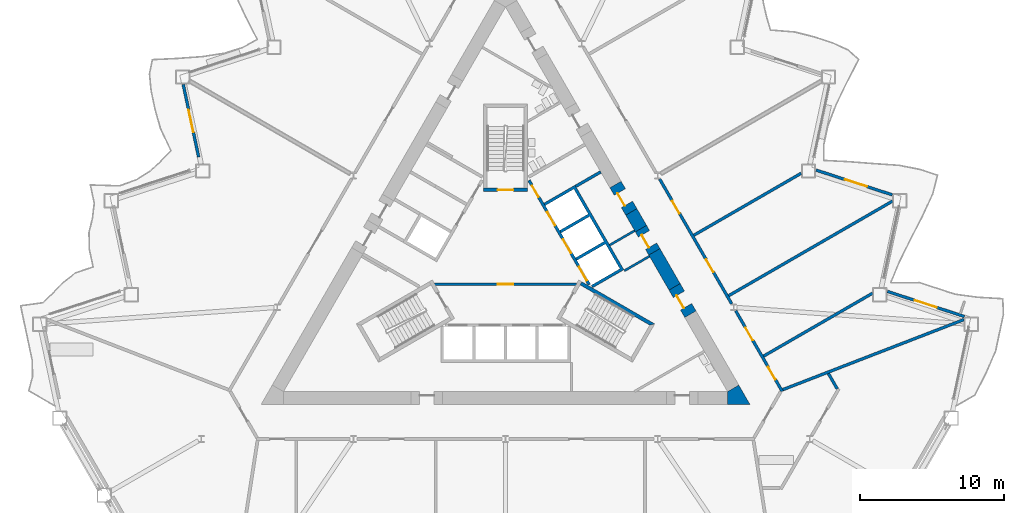
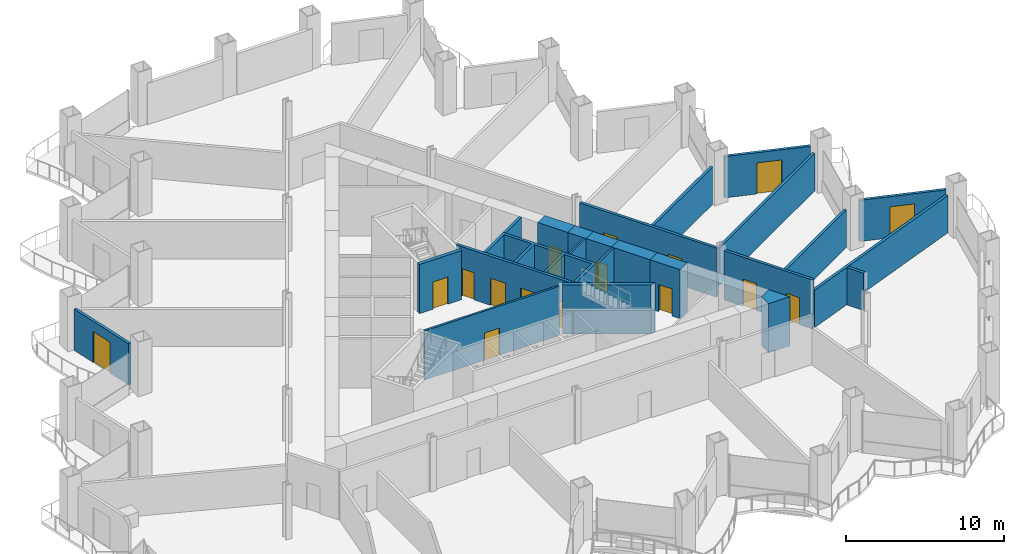
# One storey, part 11 of 21: 24 walls, 16 doors, 16 openings.
"""IFC4 building model written with IfcOpenShell, lengths in metres."""

from ifc_helpers import new_model, si_unit, direction, frame, frame_2d, origin, place, context, subcontext, project, spatial, polyline, rectangle, outline, extrude, material, layer, layer_set, type_object, element, fill, save


model = new_model("IFC4")

# Units and contexts
model_context = context("Model", 3, precision=1e-05, world=origin(), true_north=direction((0.0, 1.0)))
body_context = subcontext(model_context, "Body", "Model", "MODEL_VIEW")
ifc_project = project(units=[si_unit("LENGTHUNIT", "METRE"), si_unit("AREAUNIT", "SQUARE_METRE"), si_unit("VOLUMEUNIT", "CUBIC_METRE"), si_unit("PLANEANGLEUNIT", "RADIAN"), si_unit("MASSUNIT", "GRAM", prefix="KILO")], contexts=[model_context])

# Site, building, storey
site_placement = place(None, origin())
site = spatial("IfcSite", under=ifc_project, at=site_placement, CompositionType="ELEMENT")
building_placement = place(site_placement, origin())
building = spatial("IfcBuilding", under=site, at=building_placement, Name="Cormorant Prow Tower", CompositionType="ELEMENT")
storey_placement = place(building_placement, frame((0.0, 0.0, 46.800048828125)))
storey = spatial("IfcBuildingStorey", under=building, at=storey_placement, Name="L09", CompositionType="ELEMENT", Elevation=46.800048828125)

# Wall, opening, door
ifc_material_1 = material(Name="Gypsum board partition")
ifc_layer_1 = layer(ifc_material_1, 0.14990234375)
ifc_layer_set_1 = layer_set([ifc_layer_1], Name="Gypsum board partition")
wall_type_1 = type_object("IfcWallType", Name="Core partition 150", PredefinedType="PARTITIONING", material=ifc_layer_set_1)
wall_1_placement = place(storey_placement, frame((-4.941162109375, -1.449951171875, 0.0), z_axis=(0.0, 0.0, 1.0), x_axis=(1.0, 0.0, 0.0)))
wall_1 = element("IfcWall", 1, at=wall_1_placement, inside=storey, type_object=wall_type_1, Name="Firefighting lobby partition", PredefinedType="PARTITIONING", context=body_context, shape_type="SweptSolid", body=[
    extrude(rectangle(XDim=9.88232421875, YDim=0.14990234375, at=frame_2d((4.941162109375, 0.0))), origin(), (0.0, 0.0, 1.0), 3.800048828125),
])
opening_1_placement = place(wall_1_placement, frame((4.39111328125, 0.0, 0.0)))
opening_1 = element("IfcOpeningElement", 2, at=opening_1_placement, cuts=wall_1, Name="Opening L09-C11", PredefinedType="OPENING", context=body_context, shape_type="SweptSolid", body=[
    extrude(rectangle(XDim=1.10009765625, YDim=2.10009765625, at=frame_2d((0.550048828125, 1.050048828125))), frame((0.0, 0.0849609375, 0.0), z_axis=(0.0, -1.0, 0.0), x_axis=(1.0, 0.0, 0.0)), (0.0, 0.0, 1.0), 0.169921875),
])
ifc_material_2 = material(Name="Painted steel", Category="steel")
door_type_1 = type_object("IfcDoorType", Name="Firefighting lobby door 1100x2100", OperationType="NOTDEFINED", PredefinedType="DOOR", material=ifc_material_2)
door_1_placement = place(opening_1_placement, origin())
door_1 = element("IfcDoor", 3, at=door_1_placement, inside=storey, type_object=door_type_1, Name="Firefighting lobby door", OperationType="SINGLE_SWING_LEFT", OverallHeight=2.10009765625, OverallWidth=1.10009765625, PredefinedType="DOOR", context=body_context, shape_type="SweptSolid", body=[
    extrude(rectangle(XDim=1.10009765625, YDim=2.10009765625, at=frame_2d((0.550048828125, 1.050048828125))), frame((0.0, 0.02490234375, 0.0), z_axis=(0.0, -1.0, 0.0), x_axis=(1.0, 0.0, 0.0)), (0.0, 0.0, 1.0), 0.050048828125),
])
fill(opening_1, door_1)

# Walls
wall_2_placement = place(storey_placement, frame((8.268310546875, -0.509033203125, 0.0), z_axis=(0.0, 0.0, 1.0), x_axis=(0.866035824272, 0.499981950752, 0.0)))
element("IfcWall", 4, at=wall_2_placement, inside=storey, type_object=wall_type_1, Name="Service room partition", PredefinedType="PARTITIONING", context=body_context, shape_type="SweptSolid", body=[
    extrude(rectangle(XDim=2.0087890625, YDim=0.14990234375, at=frame_2d((1.00439453125, 0.0))), origin(), (0.0, 0.0, 1.0), 3.800048828125),
])
wall_3_placement = place(storey_placement, frame((8.980712890625, 2.275146484375, 0.0), z_axis=(0.0, 0.0, 1.0), x_axis=(-0.866013584312, -0.500020471368, 0.0)))
element("IfcWall", 5, at=wall_3_placement, inside=storey, type_object=wall_type_1, Name="Service room partition", PredefinedType="PARTITIONING", context=body_context, shape_type="SweptSolid", body=[
    extrude(rectangle(XDim=2.00927734375, YDim=0.14990234375, at=frame_2d((1.004638671875, 0.0))), origin(), (0.0, 0.0, 1.0), 3.800048828125),
])
ifc_material_3 = material(Name="Concrete 8000 psi", Category="concrete")
ifc_layer_2 = layer(ifc_material_3, 0.89990234375)
ifc_layer_set_2 = layer_set([ifc_layer_2], Name="Concrete 8000 psi")
wall_type_2 = type_object("IfcWallType", Name="Core shear wall 900", PredefinedType="SHEAR", material=ifc_layer_set_2)
wall_4_placement = place(storey_placement, frame((11.7548828125, -1.63037109375, 0.0), z_axis=(0.0, 0.0, 1.0), x_axis=(-0.499943114462, 0.866058244174, 0.0)))
element("IfcWall", 6, at=wall_4_placement, inside=storey, type_object=wall_type_2, Name="Core wall", PredefinedType="SHEAR", context=body_context, shape_type="SweptSolid", body=[
    extrude(rectangle(XDim=2.809326171875, YDim=0.89990234375, at=frame_2d((1.40478515625, 0.0))), origin(), (0.0, 0.0, 1.0), 3.800048828125),
])
wall_5_placement = place(storey_placement, frame((9.417724609375, 2.417724609375, 0.0), z_axis=(0.0, 0.0, 1.0), x_axis=(-0.49995335277, 0.8660523339, 0.0)))
element("IfcWall", 7, at=wall_5_placement, inside=storey, type_object=wall_type_2, Name="Core wall", PredefinedType="SHEAR", context=body_context, shape_type="SweptSolid", body=[
    extrude(rectangle(XDim=1.342529296875, YDim=0.89990234375, at=frame_2d((0.67138671875, 0.0))), origin(), (0.0, 0.0, 1.0), 3.800048828125),
])
wall_6_placement = place(storey_placement, origin())
element("IfcWall", 8, at=wall_6_placement, inside=storey, type_object=wall_type_2, Name="Core wall corner", PredefinedType="SHEAR", context=body_context, shape_type="SweptSolid", body=[
    extrude(outline(polyline([(15.441162109375, -9.81494140625), (15.441162109375, -8.9150390625), (16.220703125, -8.465087890625), (17.0, -9.81494140625), (15.441162109375, -9.81494140625)])), origin(), (0.0, 0.0, 1.0), 3.800048828125),
])

# Wall, opening, door
wall_7_placement = place(storey_placement, frame((12.85498046875, -3.53564453125, 0.0), z_axis=(0.0, 0.0, 1.0), x_axis=(-0.50002983664, 0.866008176907, 0.0)))
wall_7 = element("IfcWall", 9, at=wall_7_placement, inside=storey, type_object=wall_type_2, Name="Core wall door panel", PredefinedType="SHEAR", context=body_context, shape_type="SweptSolid", body=[
    extrude(rectangle(XDim=2.199951171875, YDim=0.89990234375, at=frame_2d((1.10009765625, 0.0))), origin(), (0.0, 0.0, 1.0), 3.800048828125),
])
opening_2_placement = place(wall_7_placement, frame((0.60009765625, 0.0, 0.0)))
opening_2 = element("IfcOpeningElement", 10, at=opening_2_placement, cuts=wall_7, Name="Opening L09-C17", PredefinedType="OPENING", context=body_context, shape_type="SweptSolid", body=[
    extrude(rectangle(XDim=1.0, YDim=2.10009765625, at=frame_2d((0.5, 1.050048828125))), frame((0.0, 0.4599609375, 0.0), z_axis=(0.0, -1.0, 0.0), x_axis=(1.0, 0.0, 0.0)), (0.0, 0.0, 1.0), 0.919921875),
])
ifc_material_4 = material(Name="Painted steel", Category="steel")
door_type_2 = type_object("IfcDoorType", Name="Service door 1000x2100", OperationType="NOTDEFINED", PredefinedType="DOOR", material=ifc_material_4)
door_2_placement = place(opening_2_placement, origin())
door_2 = element("IfcDoor", 11, at=door_2_placement, inside=storey, type_object=door_type_2, Name="Core door, Electrical room", OperationType="SINGLE_SWING_RIGHT", OverallHeight=2.10009765625, OverallWidth=1.0, PredefinedType="DOOR", context=body_context, shape_type="SweptSolid", body=[
    extrude(rectangle(XDim=1.0, YDim=2.10009765625, at=frame_2d((0.5, 1.050048828125))), frame((0.0, 0.205078125, 0.0), z_axis=(0.0, -1.0, 0.0), x_axis=(1.0, 0.0, 0.0)), (0.0, 0.0, 1.0), 0.050048828125),
])
fill(opening_2, door_2)

wall_8_placement = place(storey_placement, frame((10.350341796875, 0.802734375, 0.0), z_axis=(0.0, 0.0, 1.0), x_axis=(-0.500081290722, 0.865978465477, 0.0)))
wall_8 = element("IfcWall", 12, at=wall_8_placement, inside=storey, type_object=wall_type_2, Name="Core wall door panel", PredefinedType="SHEAR", context=body_context, shape_type="SweptSolid", body=[
    extrude(rectangle(XDim=1.864990234375, YDim=0.89990234375, at=frame_2d((0.9326171875, 0.0))), origin(), (0.0, 0.0, 1.0), 3.800048828125),
])
opening_3_placement = place(wall_8_placement, frame((0.449951171875, 0.0, 0.0)))
opening_3 = element("IfcOpeningElement", 13, at=opening_3_placement, cuts=wall_8, Name="Opening L09-C18", PredefinedType="OPENING", context=body_context, shape_type="SweptSolid", body=[
    extrude(rectangle(XDim=1.0, YDim=2.10009765625, at=frame_2d((0.5, 1.050048828125))), frame((0.0, 0.4599609375, 0.0), z_axis=(0.0, -1.0, 0.0), x_axis=(1.0, 0.0, 0.0)), (0.0, 0.0, 1.0), 0.919921875),
])
door_3_placement = place(opening_3_placement, origin())
door_3 = element("IfcDoor", 14, at=door_3_placement, inside=storey, type_object=door_type_2, Name="Core door, Mechanical riser room", OperationType="SINGLE_SWING_LEFT", OverallHeight=2.10009765625, OverallWidth=1.0, PredefinedType="DOOR", context=body_context, shape_type="SweptSolid", body=[
    extrude(rectangle(XDim=1.0, YDim=2.10009765625, at=frame_2d((0.5, 1.050048828125))), frame((0.0, 0.205078125, 0.0), z_axis=(0.0, -1.0, 0.0), x_axis=(1.0, 0.0, 0.0)), (0.0, 0.0, 1.0), 0.050048828125),
])
fill(opening_3, door_3)

wall_9_placement = place(storey_placement, frame((8.74658203125, 3.580322265625, 0.0), z_axis=(0.0, 0.0, 1.0), x_axis=(-0.50002983664, 0.866008176907, 0.0)))
wall_9 = element("IfcWall", 15, at=wall_9_placement, inside=storey, type_object=wall_type_2, Name="Core wall door panel", PredefinedType="SHEAR", context=body_context, shape_type="SweptSolid", body=[
    extrude(rectangle(XDim=2.199951171875, YDim=0.89990234375, at=frame_2d((1.10009765625, 0.0))), origin(), (0.0, 0.0, 1.0), 3.800048828125),
])
opening_4_placement = place(wall_9_placement, frame((0.60009765625, 0.0, 0.0)))
opening_4 = element("IfcOpeningElement", 16, at=opening_4_placement, cuts=wall_9, Name="Opening L09-C20", PredefinedType="OPENING", context=body_context, shape_type="SweptSolid", body=[
    extrude(rectangle(XDim=1.0, YDim=2.10009765625, at=frame_2d((0.5, 1.050048828125))), frame((0.0, 0.4599609375, 0.0), z_axis=(0.0, -1.0, 0.0), x_axis=(1.0, 0.0, 0.0)), (0.0, 0.0, 1.0), 0.919921875),
])
door_4_placement = place(opening_4_placement, origin())
door_4 = element("IfcDoor", 17, at=door_4_placement, inside=storey, type_object=door_type_2, Name="Core door, Pantry store", OperationType="SINGLE_SWING_RIGHT", OverallHeight=2.10009765625, OverallWidth=1.0, PredefinedType="DOOR", context=body_context, shape_type="SweptSolid", body=[
    extrude(rectangle(XDim=1.0, YDim=2.10009765625, at=frame_2d((0.5, 1.050048828125))), frame((0.0, 0.205078125, 0.0), z_axis=(0.0, -1.0, 0.0), x_axis=(1.0, 0.0, 0.0)), (0.0, 0.0, 1.0), 0.050048828125),
])
fill(opening_4, door_4)

# Wall, openings, doors
ifc_material_5 = material(Name="Gypsum board corridor wall")
ifc_layer_3 = layer(ifc_material_5, 0.199951171875)
ifc_layer_set_3 = layer_set([ifc_layer_3], Name="Gypsum board corridor wall")
wall_type_3 = type_object("IfcWallType", Name="Corridor wall 200", PredefinedType="PARTITIONING", material=ifc_layer_set_3)
wall_10_placement = place(storey_placement, frame((10.718505859375, 5.865234375, 0.0), z_axis=(0.0, 0.0, 1.0), x_axis=(0.49999175339, -0.866030164915, 0.0)))
wall_10 = element("IfcWall", 18, at=wall_10_placement, inside=storey, type_object=wall_type_3, Name="Corridor wall", PredefinedType="PARTITIONING", context=body_context, shape_type="SweptSolid", body=[
    extrude(rectangle(XDim=10.018798828125, YDim=0.199951171875, at=frame_2d((5.00927734375, 0.0))), origin(), (0.0, 0.0, 1.0), 3.800048828125),
])
opening_5_placement = place(wall_10_placement, frame((6.4638671875, 0.0, 0.0)))
opening_5 = element("IfcOpeningElement", 19, at=opening_5_placement, cuts=wall_10, Name="Opening L09-F09", PredefinedType="OPENING", context=body_context, shape_type="SweptSolid", body=[
    extrude(rectangle(XDim=1.0, YDim=2.10009765625, at=frame_2d((0.5, 1.050048828125))), frame((0.0, 0.10986328125, 0.0), z_axis=(0.0, -1.0, 0.0), x_axis=(1.0, 0.0, 0.0)), (0.0, 0.0, 1.0), 0.219970703125),
])
opening_6_placement = place(wall_10_placement, frame((1.75341796875, 0.0, 0.0)))
opening_6 = element("IfcOpeningElement", 20, at=opening_6_placement, cuts=wall_10, Name="Opening L09-F10", PredefinedType="OPENING", context=body_context, shape_type="SweptSolid", body=[
    extrude(rectangle(XDim=1.0, YDim=2.10009765625, at=frame_2d((0.5, 1.050048828125))), frame((0.0, 0.10986328125, 0.0), z_axis=(0.0, -1.0, 0.0), x_axis=(1.0, 0.0, 0.0)), (0.0, 0.0, 1.0), 0.219970703125),
])
ifc_material_6 = material(Name="Timber door leaf", Category="wood")
door_type_3 = type_object("IfcDoorType", Name="Office door 1000x2100", OperationType="NOTDEFINED", PredefinedType="DOOR", material=ifc_material_6)
door_5_placement = place(opening_5_placement, origin())
door_5 = element("IfcDoor", 21, at=door_5_placement, inside=storey, type_object=door_type_3, Name="Meeting room door", OperationType="SINGLE_SWING_LEFT", OverallHeight=2.10009765625, OverallWidth=1.0, PredefinedType="DOOR", context=body_context, shape_type="SweptSolid", body=[
    extrude(rectangle(XDim=1.0, YDim=2.10009765625, at=frame_2d((0.5, 1.050048828125))), frame((0.0, 0.02490234375, 0.0), z_axis=(0.0, -1.0, 0.0), x_axis=(1.0, 0.0, 0.0)), (0.0, 0.0, 1.0), 0.050048828125),
])
fill(opening_5, door_5)
door_6_placement = place(opening_6_placement, origin())
door_6 = element("IfcDoor", 22, at=door_6_placement, inside=storey, type_object=door_type_3, Name="Meeting room door", OperationType="SINGLE_SWING_RIGHT", OverallHeight=2.10009765625, OverallWidth=1.0, PredefinedType="DOOR", context=body_context, shape_type="SweptSolid", body=[
    extrude(rectangle(XDim=1.0, YDim=2.10009765625, at=frame_2d((0.5, 1.050048828125))), frame((0.0, 0.02490234375, 0.0), z_axis=(0.0, -1.0, 0.0), x_axis=(1.0, 0.0, 0.0)), (0.0, 0.0, 1.0), 0.050048828125),
])
fill(opening_6, door_6)

wall_11_placement = place(storey_placement, frame((16.007568359375, -3.2958984375, 0.0), z_axis=(0.0, 0.0, 1.0), x_axis=(0.499984737558, -0.86603421538, 0.0)))
wall_11 = element("IfcWall", 23, at=wall_11_placement, inside=storey, type_object=wall_type_3, Name="Corridor wall", PredefinedType="PARTITIONING", context=body_context, shape_type="SweptSolid", body=[
    extrude(rectangle(XDim=6.472900390625, YDim=0.199951171875, at=frame_2d((3.236328125, 0.0))), origin(), (0.0, 0.0, 1.0), 3.800048828125),
])
opening_7_placement = place(wall_11_placement, frame((4.51220703125, 0.0, 0.0)))
opening_7 = element("IfcOpeningElement", 24, at=opening_7_placement, cuts=wall_11, Name="Opening L09-F07", PredefinedType="OPENING", context=body_context, shape_type="SweptSolid", body=[
    extrude(rectangle(XDim=1.0, YDim=2.10009765625, at=frame_2d((0.5, 1.050048828125))), frame((0.0, 0.10986328125, 0.0), z_axis=(0.0, -1.0, 0.0), x_axis=(1.0, 0.0, 0.0)), (0.0, 0.0, 1.0), 0.219970703125),
])
opening_8_placement = place(wall_11_placement, frame((1.3662109375, 0.0, 0.0)))
opening_8 = element("IfcOpeningElement", 25, at=opening_8_placement, cuts=wall_11, Name="Opening L09-F08", PredefinedType="OPENING", context=body_context, shape_type="SweptSolid", body=[
    extrude(rectangle(XDim=1.0, YDim=2.10009765625, at=frame_2d((0.5, 1.050048828125))), frame((0.0, 0.10986328125, 0.0), z_axis=(0.0, -1.0, 0.0), x_axis=(1.0, 0.0, 0.0)), (0.0, 0.0, 1.0), 0.219970703125),
])
door_7_placement = place(opening_7_placement, origin())
door_7 = element("IfcDoor", 26, at=door_7_placement, inside=storey, type_object=door_type_3, Name="Meeting room door", OperationType="SINGLE_SWING_LEFT", OverallHeight=2.10009765625, OverallWidth=1.0, PredefinedType="DOOR", context=body_context, shape_type="SweptSolid", body=[
    extrude(rectangle(XDim=1.0, YDim=2.10009765625, at=frame_2d((0.5, 1.050048828125))), frame((0.0, 0.02490234375, 0.0), z_axis=(0.0, -1.0, 0.0), x_axis=(1.0, 0.0, 0.0)), (0.0, 0.0, 1.0), 0.050048828125),
])
fill(opening_7, door_7)
door_8_placement = place(opening_8_placement, origin())
door_8 = element("IfcDoor", 27, at=door_8_placement, inside=storey, type_object=door_type_3, Name="Meeting room door", OperationType="SINGLE_SWING_LEFT", OverallHeight=2.10009765625, OverallWidth=1.0, PredefinedType="DOOR", context=body_context, shape_type="SweptSolid", body=[
    extrude(rectangle(XDim=1.0, YDim=2.10009765625, at=frame_2d((0.5, 1.050048828125))), frame((0.0, 0.02490234375, 0.0), z_axis=(0.0, -1.0, 0.0), x_axis=(1.0, 0.0, 0.0)), (0.0, 0.0, 1.0), 0.050048828125),
])
fill(opening_8, door_8)

# Walls
ifc_material_7 = material(Name="Gypsum board demising wall")
ifc_layer_4 = layer(ifc_material_7, 0.199951171875)
ifc_layer_set_4 = layer_set([ifc_layer_4], Name="Gypsum board demising wall")
wall_type_4 = type_object("IfcWallType", Name="Demising wall 200", PredefinedType="PARTITIONING", material=ifc_layer_set_4)
wall_12_placement = place(storey_placement, frame((19.287109375, -8.77880859375, 0.0), z_axis=(0.0, 0.0, 1.0), x_axis=(0.932669586354, 0.360731815467, 0.0)))
element("IfcWall", 28, at=wall_12_placement, inside=storey, type_object=wall_type_4, Name="Demising wall", PredefinedType="PARTITIONING", context=body_context, shape_type="SweptSolid", body=[
    extrude(rectangle(XDim=13.501220703125, YDim=0.199951171875, at=frame_2d((6.75048828125, 0.0))), origin(), (0.0, 0.0, 1.0), 2.88525390625),
])
wall_13_placement = place(storey_placement, frame((15.517578125, -2.24755859375, 0.0), z_axis=(0.0, 0.0, 1.0), x_axis=(0.866025231175, 0.500000298968, 0.0)))
element("IfcWall", 29, at=wall_13_placement, inside=storey, type_object=wall_type_4, Name="Demising wall", PredefinedType="PARTITIONING", context=body_context, shape_type="SweptSolid", body=[
    extrude(rectangle(XDim=13.15869140625, YDim=0.199951171875, at=frame_2d((6.579345703125, 0.0))), origin(), (0.0, 0.0, 1.0), 2.88525390625),
])
wall_14_placement = place(storey_placement, frame((17.944091796875, -6.4501953125, 0.0), z_axis=(0.0, 0.0, 1.0), x_axis=(0.866025328989, 0.50000012955, 0.0)))
element("IfcWall", 30, at=wall_14_placement, inside=storey, type_object=wall_type_4, Name="Demising wall", PredefinedType="PARTITIONING", context=body_context, shape_type="SweptSolid", body=[
    extrude(rectangle(XDim=8.75244140625, YDim=0.199951171875, at=frame_2d((4.376220703125, 0.0))), origin(), (0.0, 0.0, 1.0), 2.88525390625),
])
wall_15_placement = place(storey_placement, frame((13.09130859375, 1.954833984375, 0.0), z_axis=(0.0, 0.0, 1.0), x_axis=(0.866026670206, 0.499997806488, 0.0)))
element("IfcWall", 31, at=wall_15_placement, inside=storey, type_object=wall_type_4, Name="Demising wall", PredefinedType="PARTITIONING", context=body_context, shape_type="SweptSolid", body=[
    extrude(rectangle(XDim=8.62158203125, YDim=0.199951171875, at=frame_2d((4.310791015625, 0.0))), origin(), (0.0, 0.0, 1.0), 2.88525390625),
])
wall_16_placement = place(storey_placement, frame((22.453125, -7.66015625, 0.0), z_axis=(0.0, 0.0, 1.0), x_axis=(0.499928040405, -0.86606694569, 0.0)))
element("IfcWall", 32, at=wall_16_placement, inside=storey, type_object=wall_type_4, Name="Demising wall", PredefinedType="PARTITIONING", context=body_context, shape_type="SweptSolid", body=[
    extrude(rectangle(XDim=1.233642578125, YDim=0.199951171875, at=frame_2d((0.61669921875, 0.0))), origin(), (0.0, 0.0, 1.0), 2.88525390625),
])

# Wall, openings, doors
ifc_material_8 = material(Name="Concrete 5000 psi", Category="concrete")
ifc_layer_5 = layer(ifc_material_8, 0.199951171875)
ifc_layer_set_5 = layer_set([ifc_layer_5], Name="Concrete 5000 psi")
wall_type_5 = type_object("IfcWallType", Name="Lift lobby wall 200", PredefinedType="SOLIDWALL", material=ifc_layer_set_5)
wall_17_placement = place(storey_placement, frame((5.817138671875, -1.4755859375, 0.0), z_axis=(0.0, 0.0, 1.0), x_axis=(-0.500002616675, 0.866023893041, 0.0)))
wall_17 = element("IfcWall", 33, at=wall_17_placement, inside=storey, type_object=wall_type_5, Name="Lift lobby wall, ENE block", PredefinedType="SOLIDWALL", context=body_context, shape_type="SweptSolid", body=[
    extrude(rectangle(XDim=8.373046875, YDim=0.199951171875, at=frame_2d((4.1865234375, 0.0))), origin(), (0.0, 0.0, 1.0), 3.800048828125),
])
opening_9_placement = place(wall_17_placement, frame((0.336669921875, 0.0, 0.0)))
opening_9 = element("IfcOpeningElement", 34, at=opening_9_placement, cuts=wall_17, Name="Opening L09-C05", PredefinedType="OPENING", context=body_context, shape_type="SweptSolid", body=[
    extrude(rectangle(XDim=1.10009765625, YDim=2.10009765625, at=frame_2d((0.550048828125, 1.050048828125))), frame((0.0, 0.10986328125, 0.0), z_axis=(0.0, -1.0, 0.0), x_axis=(1.0, 0.0, 0.0)), (0.0, 0.0, 1.0), 0.219970703125),
])
opening_10_placement = place(wall_17_placement, frame((2.53662109375, 0.0, 0.0)))
opening_10 = element("IfcOpeningElement", 35, at=opening_10_placement, cuts=wall_17, Name="Opening L09-C06", PredefinedType="OPENING", context=body_context, shape_type="SweptSolid", body=[
    extrude(rectangle(XDim=1.10009765625, YDim=2.10009765625, at=frame_2d((0.550048828125, 1.050048828125))), frame((0.0, 0.10986328125, 0.0), z_axis=(0.0, -1.0, 0.0), x_axis=(1.0, 0.0, 0.0)), (0.0, 0.0, 1.0), 0.219970703125),
])
opening_11_placement = place(wall_17_placement, frame((4.736572265625, 0.0, 0.0)))
opening_11 = element("IfcOpeningElement", 36, at=opening_11_placement, cuts=wall_17, Name="Opening L09-C07", PredefinedType="OPENING", context=body_context, shape_type="SweptSolid", body=[
    extrude(rectangle(XDim=1.10009765625, YDim=2.10009765625, at=frame_2d((0.550048828125, 1.050048828125))), frame((0.0, 0.10986328125, 0.0), z_axis=(0.0, -1.0, 0.0), x_axis=(1.0, 0.0, 0.0)), (0.0, 0.0, 1.0), 0.219970703125),
])
opening_12_placement = place(wall_17_placement, frame((7.03662109375, 0.0, 0.0)))
opening_12 = element("IfcOpeningElement", 37, at=opening_12_placement, cuts=wall_17, Name="Opening L09-C08", PredefinedType="OPENING", context=body_context, shape_type="SweptSolid", body=[
    extrude(rectangle(XDim=0.89990234375, YDim=2.10009765625, at=frame_2d((0.449951171875, 1.050048828125))), frame((0.0, 0.10986328125, 0.0), z_axis=(0.0, -1.0, 0.0), x_axis=(1.0, 0.0, 0.0)), (0.0, 0.0, 1.0), 0.219970703125),
])
ifc_material_9 = material(Name="Painted steel", Category="steel")
door_type_4 = type_object("IfcDoorType", Name="Lift landing door 1100x2100", OperationType="SLIDING_TO_LEFT", PredefinedType="DOOR", material=ifc_material_9)
door_9_placement = place(opening_9_placement, origin())
door_9 = element("IfcDoor", 38, at=door_9_placement, inside=storey, type_object=door_type_4, Name="Landing door LR2", OperationType="SLIDING_TO_LEFT", OverallHeight=2.10009765625, OverallWidth=1.10009765625, PredefinedType="DOOR", context=body_context, shape_type="SweptSolid", body=[
    extrude(rectangle(XDim=1.10009765625, YDim=2.10009765625, at=frame_2d((0.550048828125, 1.050048828125))), frame((0.0, 0.02490234375, 0.0), z_axis=(0.0, -1.0, 0.0), x_axis=(1.0, 0.0, 0.0)), (0.0, 0.0, 1.0), 0.050048828125),
])
fill(opening_9, door_9)
door_10_placement = place(opening_10_placement, origin())
door_10 = element("IfcDoor", 39, at=door_10_placement, inside=storey, type_object=door_type_4, Name="Landing door LR3", OperationType="SLIDING_TO_LEFT", OverallHeight=2.10009765625, OverallWidth=1.10009765625, PredefinedType="DOOR", context=body_context, shape_type="SweptSolid", body=[
    extrude(rectangle(XDim=1.10009765625, YDim=2.10009765625, at=frame_2d((0.550048828125, 1.050048828125))), frame((0.0, 0.02490234375, 0.0), z_axis=(0.0, -1.0, 0.0), x_axis=(1.0, 0.0, 0.0)), (0.0, 0.0, 1.0), 0.050048828125),
])
fill(opening_10, door_10)
door_11_placement = place(opening_11_placement, origin())
door_11 = element("IfcDoor", 40, at=door_11_placement, inside=storey, type_object=door_type_4, Name="Landing door LR4", OperationType="SLIDING_TO_LEFT", OverallHeight=2.10009765625, OverallWidth=1.10009765625, PredefinedType="DOOR", context=body_context, shape_type="SweptSolid", body=[
    extrude(rectangle(XDim=1.10009765625, YDim=2.10009765625, at=frame_2d((0.550048828125, 1.050048828125))), frame((0.0, 0.02490234375, 0.0), z_axis=(0.0, -1.0, 0.0), x_axis=(1.0, 0.0, 0.0)), (0.0, 0.0, 1.0), 0.050048828125),
])
fill(opening_11, door_11)
ifc_material_10 = material(Name="Painted steel", Category="steel")
door_type_5 = type_object("IfcDoorType", Name="Service door 900x2100", OperationType="NOTDEFINED", PredefinedType="DOOR", material=ifc_material_10)
door_12_placement = place(opening_12_placement, origin())
door_12 = element("IfcDoor", 41, at=door_12_placement, inside=storey, type_object=door_type_5, Name="Service door, Refuse store", OperationType="SINGLE_SWING_RIGHT", OverallHeight=2.10009765625, OverallWidth=0.89990234375, PredefinedType="DOOR", context=body_context, shape_type="SweptSolid", body=[
    extrude(rectangle(XDim=0.89990234375, YDim=2.10009765625, at=frame_2d((0.449951171875, 1.050048828125))), frame((0.0, 0.02490234375, 0.0), z_axis=(0.0, -1.0, 0.0), x_axis=(1.0, 0.0, 0.0)), (0.0, 0.0, 1.0), 0.050048828125),
])
fill(opening_12, door_12)

# Walls
ifc_material_11 = material(Name="Concrete 8000 psi", Category="concrete")
ifc_layer_6 = layer(ifc_material_11, 0.199951171875)
ifc_layer_set_6 = layer_set([ifc_layer_6], Name="Concrete 8000 psi")
wall_type_6 = type_object("IfcWallType", Name="Lift shaft wall 200", PredefinedType="SHEAR", material=ifc_layer_set_6)
wall_18_placement = place(storey_placement, origin())
element("IfcWall", 42, at=wall_18_placement, inside=storey, type_object=wall_type_6, Name="Lift shaft walls, ENE block", PredefinedType="SHEAR", context=body_context, shape_type="SweptSolid", body=[
    extrude(outline(polyline([(2.660400390625, 4.19189453125), (4.830810546875, 5.44482421875), (8.230712890625, -0.444091796875), (6.060546875, -1.697021484375), (5.96044921875, -1.52392578125), (7.952392578125, -0.373779296875), (6.952392578125, 1.358154296875), (4.96044921875, 0.2080078125), (4.860595703125, 0.38134765625), (6.852294921875, 1.53125), (5.852294921875, 3.263427734375), (3.860595703125, 2.11328125), (3.760498046875, 2.28662109375), (5.75244140625, 3.4365234375), (4.75244140625, 5.168701171875), (2.760498046875, 4.018798828125), (2.660400390625, 4.19189453125)])), origin(), (0.0, 0.0, 1.0), 3.800048828125),
])
wall_19_placement = place(storey_placement, frame((4.880859375, 5.3583984375, 0.0), z_axis=(0.0, 0.0, 1.0), x_axis=(0.866035824272, 0.499981950752, 0.0)))
element("IfcWall", 43, at=wall_19_placement, inside=storey, type_object=wall_type_6, Name="Store side wall", PredefinedType="SHEAR", context=body_context, shape_type="SweptSolid", body=[
    extrude(rectangle(XDim=2.0087890625, YDim=0.199951171875, at=frame_2d((1.00439453125, 0.0))), origin(), (0.0, 0.0, 1.0), 3.800048828125),
])
ifc_material_12 = material(Name="Concrete 8000 psi", Category="concrete")
ifc_layer_7 = layer(ifc_material_12, 0.25)
ifc_layer_set_7 = layer_set([ifc_layer_7], Name="Concrete 8000 psi")
wall_type_7 = type_object("IfcWallType", Name="Stair wall 250", PredefinedType="SHEAR", material=ifc_layer_set_7)
wall_20_placement = place(storey_placement, origin())
element("IfcWall", 44, at=wall_20_placement, inside=storey, type_object=wall_type_7, Name="Stair ST2 enclosure wall (flank)", PredefinedType="SHEAR", context=body_context, shape_type="SweptSolid", body=[
    extrude(outline(polyline([(10.031982421875, -4.2978515625), (10.37353515625, -4.206298828125), (5.30712890625, -1.28125), (5.18212890625, -1.497802734375), (10.031982421875, -4.2978515625)])), origin(), (0.0, 0.0, 1.0), 3.800048828125),
])

# Wall, opening, door
wall_21_placement = place(storey_placement, frame((1.5439453125, 5.11181640625, 0.0), z_axis=(0.0, 0.0, 1.0), x_axis=(-1.0, 0.0, 0.0)))
wall_21 = element("IfcWall", 45, at=wall_21_placement, inside=storey, type_object=wall_type_7, Name="Stair ST3 door wall", PredefinedType="SHEAR", context=body_context, shape_type="SweptSolid", body=[
    extrude(rectangle(XDim=3.087890625, YDim=0.25, at=frame_2d((1.5439453125, 0.0))), origin(), (0.0, 0.0, 1.0), 3.800048828125),
])
opening_13_placement = place(wall_21_placement, frame((0.993896484375, 0.0, 0.0)))
opening_13 = element("IfcOpeningElement", 46, at=opening_13_placement, cuts=wall_21, Name="Opening L09-C14", PredefinedType="OPENING", context=body_context, shape_type="SweptSolid", body=[
    extrude(rectangle(XDim=1.10009765625, YDim=2.10009765625, at=frame_2d((0.550048828125, 1.050048828125))), frame((0.0, 0.135009765625, 0.0), z_axis=(0.0, -1.0, 0.0), x_axis=(1.0, 0.0, 0.0)), (0.0, 0.0, 1.0), 0.27001953125),
])
ifc_material_13 = material(Name="Painted steel", Category="steel")
door_type_6 = type_object("IfcDoorType", Name="Stair door 1100x2100", OperationType="NOTDEFINED", PredefinedType="DOOR", material=ifc_material_13)
door_13_placement = place(opening_13_placement, origin())
door_13 = element("IfcDoor", 47, at=door_13_placement, inside=storey, type_object=door_type_6, Name="Stair ST3 door", OperationType="SINGLE_SWING_RIGHT", OverallHeight=2.10009765625, OverallWidth=1.10009765625, PredefinedType="DOOR", context=body_context, shape_type="SweptSolid", body=[
    extrude(rectangle(XDim=1.10009765625, YDim=2.10009765625, at=frame_2d((0.550048828125, 1.050048828125))), frame((0.0, 0.02490234375, 0.0), z_axis=(0.0, -1.0, 0.0), x_axis=(1.0, 0.0, 0.0)), (0.0, 0.0, 1.0), 0.050048828125),
])
fill(opening_13, door_13)

ifc_material_14 = material(Name="Terracotta", Category="masonry")
ifc_layer_8 = layer(ifc_material_14, 0.199951171875)
ifc_layer_set_8 = layer_set([ifc_layer_8], Name="Terracotta")
wall_type_8 = type_object("IfcWallType", Name="Terracotta jamb wall 200", PredefinedType="SOLIDWALL", material=ifc_layer_set_8)
wall_22_placement = place(storey_placement, frame((31.9140625, -3.69287109375, 0.0), z_axis=(0.0, 0.0, 1.0), x_axis=(-0.951049360908, 0.309039015525, 0.0)))
wall_22 = element("IfcWall", 48, at=wall_22_placement, inside=storey, type_object=wall_type_8, Name="Terracotta jamb wall ENE01", PredefinedType="SOLIDWALL", context=body_context, shape_type="SweptSolid", body=[
    extrude(rectangle(XDim=5.631103515625, YDim=0.199951171875, at=frame_2d((2.8154296875, 0.0))), origin(), (0.0, 0.0, 1.0), 3.18896484375),
])
opening_14_placement = place(wall_22_placement, frame((2.031005859375, 0.0, 0.0)))
opening_14 = element("IfcOpeningElement", 49, at=opening_14_placement, cuts=wall_22, Name="Opening ED09.06", PredefinedType="OPENING", context=body_context, shape_type="SweptSolid", body=[
    extrude(rectangle(XDim=1.60009765625, YDim=2.39990234375, at=frame_2d((0.800048828125, 1.199951171875))), frame((0.0, 0.10986328125, 0.0), z_axis=(0.0, -1.0, 0.0), x_axis=(1.0, 0.0, 0.0)), (0.0, 0.0, 1.0), 0.219970703125),
])
ifc_material_15 = material(Name="Aluminium 6063-T6", Category="aluminium")
door_type_7 = type_object("IfcDoorType", Name="Balcony door 1600x2400", OperationType="DOUBLE_DOOR_SINGLE_SWING", PredefinedType="DOOR", material=ifc_material_15)
door_14_placement = place(opening_14_placement, origin())
door_14 = element("IfcDoor", 50, at=door_14_placement, inside=storey, type_object=door_type_7, Name="Balcony door ENE01 ED09.06", OperationType="DOUBLE_DOOR_SINGLE_SWING", OverallHeight=2.39990234375, OverallWidth=1.60009765625, PredefinedType="DOOR", context=body_context, shape_type="SweptSolid", body=[
    extrude(rectangle(XDim=1.60009765625, YDim=2.39990234375, at=frame_2d((0.800048828125, 1.199951171875))), frame((0.0, 0.02490234375, 0.0), z_axis=(0.0, -1.0, 0.0), x_axis=(1.0, 0.0, 0.0)), (0.0, 0.0, 1.0), 0.050048828125),
])
fill(opening_14, door_14)

wall_23_placement = place(storey_placement, frame((26.898681640625, 4.76513671875, 0.0), z_axis=(0.0, 0.0, 1.0), x_axis=(-0.951054004345, 0.309024725255, 0.0)))
wall_23 = element("IfcWall", 51, at=wall_23_placement, inside=storey, type_object=wall_type_8, Name="Terracotta jamb wall ENE03", PredefinedType="SOLIDWALL", context=body_context, shape_type="SweptSolid", body=[
    extrude(rectangle(XDim=5.579345703125, YDim=0.199951171875, at=frame_2d((2.78955078125, 0.0))), origin(), (0.0, 0.0, 1.0), 3.18896484375),
])
opening_15_placement = place(wall_23_placement, frame((1.85986328125, 0.0, 0.0)))
opening_15 = element("IfcOpeningElement", 52, at=opening_15_placement, cuts=wall_23, Name="Opening ED09.07", PredefinedType="OPENING", context=body_context, shape_type="SweptSolid", body=[
    extrude(rectangle(XDim=1.60009765625, YDim=2.39990234375, at=frame_2d((0.800048828125, 1.199951171875))), frame((0.0, 0.10986328125, 0.0), z_axis=(0.0, -1.0, 0.0), x_axis=(1.0, 0.0, 0.0)), (0.0, 0.0, 1.0), 0.219970703125),
])
door_15_placement = place(opening_15_placement, origin())
door_15 = element("IfcDoor", 53, at=door_15_placement, inside=storey, type_object=door_type_7, Name="Balcony door ENE03 ED09.07", OperationType="DOUBLE_DOOR_SINGLE_SWING", OverallHeight=2.39990234375, OverallWidth=1.60009765625, PredefinedType="DOOR", context=body_context, shape_type="SweptSolid", body=[
    extrude(rectangle(XDim=1.60009765625, YDim=2.39990234375, at=frame_2d((0.800048828125, 1.199951171875))), frame((0.0, 0.02490234375, 0.0), z_axis=(0.0, -1.0, 0.0), x_axis=(1.0, 0.0, 0.0)), (0.0, 0.0, 1.0), 0.050048828125),
])
fill(opening_15, door_15)

wall_24_placement = place(storey_placement, frame((-22.416259765625, 12.448974609375, 0.0), z_axis=(0.0, 0.0, 1.0), x_axis=(0.207907400709, -0.978148512615, 0.0)))
wall_24 = element("IfcWall", 54, at=wall_24_placement, inside=storey, type_object=wall_type_8, Name="Terracotta jamb wall WNW05", PredefinedType="SOLIDWALL", context=body_context, shape_type="SweptSolid", body=[
    extrude(rectangle(XDim=5.162109375, YDim=0.199951171875, at=frame_2d((2.5810546875, 0.0))), origin(), (0.0, 0.0, 1.0), 3.18896484375),
])
opening_16_placement = place(wall_24_placement, frame((1.80029296875, 0.0, 0.0)))
opening_16 = element("IfcOpeningElement", 55, at=opening_16_placement, cuts=wall_24, Name="Opening ED09.13", PredefinedType="OPENING", context=body_context, shape_type="SweptSolid", body=[
    extrude(rectangle(XDim=1.60009765625, YDim=2.39990234375, at=frame_2d((0.800048828125, 1.199951171875))), frame((0.0, 0.10986328125, 0.0), z_axis=(0.0, -1.0, 0.0), x_axis=(1.0, 0.0, 0.0)), (0.0, 0.0, 1.0), 0.219970703125),
])
door_16_placement = place(opening_16_placement, origin())
door_16 = element("IfcDoor", 56, at=door_16_placement, inside=storey, type_object=door_type_7, Name="Balcony door WNW05 ED09.13", OperationType="DOUBLE_DOOR_SINGLE_SWING", OverallHeight=2.39990234375, OverallWidth=1.60009765625, PredefinedType="DOOR", context=body_context, shape_type="SweptSolid", body=[
    extrude(rectangle(XDim=1.60009765625, YDim=2.39990234375, at=frame_2d((0.800048828125, 1.199951171875))), frame((0.0, 0.02490234375, 0.0), z_axis=(0.0, -1.0, 0.0), x_axis=(1.0, 0.0, 0.0)), (0.0, 0.0, 1.0), 0.050048828125),
])
fill(opening_16, door_16)

save(model, "model.ifc")
